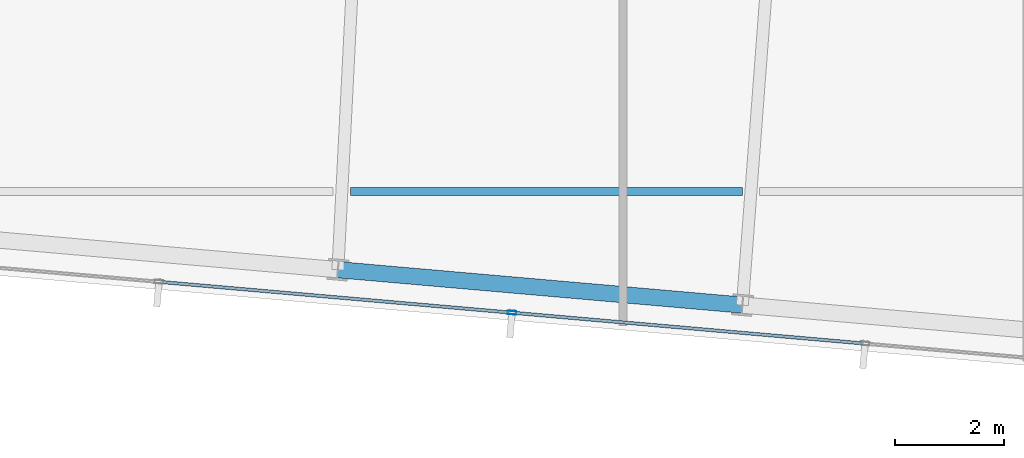
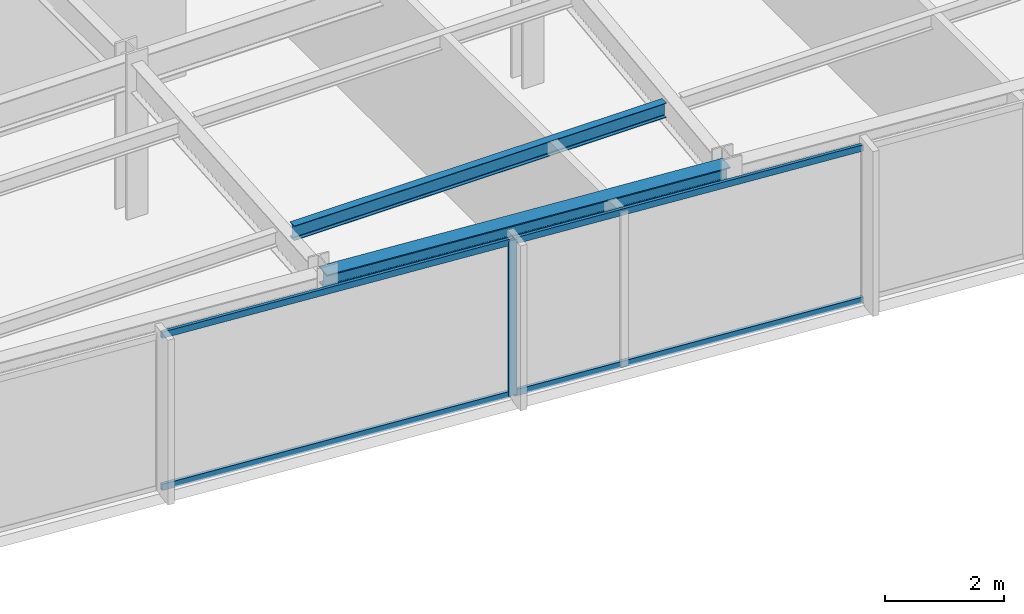
# One storey, part 7 of 32: 5 members, 2 beams, 1 element without a shape of its own.
"""IFC4 building model written with IfcOpenShell, lengths in metres."""

from ifc_helpers import new_model, si_unit, direction, frame, origin, origin_2d, place, context, subcontext, project, spatial, hollow_rectangle, i_section, extrude, material, material_profile, profile_set, type_object, element, aggregate, save


model = new_model("IFC4")

# Units and contexts
model_context = context("Model", 3, precision=1e-05, world=origin(), true_north=direction((0.0, 1.0)))
body_context = subcontext(model_context, "Body", "Model", "MODEL_VIEW")
ifc_project = project(units=[si_unit("LENGTHUNIT", "METRE"), si_unit("AREAUNIT", "SQUARE_METRE"), si_unit("VOLUMEUNIT", "CUBIC_METRE"), si_unit("PLANEANGLEUNIT", "RADIAN"), si_unit("MASSUNIT", "GRAM", prefix="KILO")], contexts=[model_context])

# Site, building, storey
site_placement = place(None, origin())
site = spatial("IfcSite", under=ifc_project, at=site_placement, CompositionType="ELEMENT")
building_placement = place(site_placement, origin())
building = spatial("IfcBuilding", under=site, at=building_placement, Name="Yelkora Congress Tower", CompositionType="ELEMENT")
storey_placement = place(building_placement, frame((0.0, 0.0, 272.699951171875)))
storey = spatial("IfcBuildingStorey", under=building, at=storey_placement, Name="L76", CompositionType="ELEMENT", Elevation=272.699951171875)

# Beams
ifc_material_1 = material(Name="Steel S355J2", Category="steel")
ifc_material_profile_1 = material_profile(ifc_material_1, i_section(OverallWidth=0.14990234375, OverallDepth=0.300048828125, WebThickness=0.007080078125, FlangeThickness=0.0107421875, FilletRadius=0.014892578125, at=origin_2d()), Name="IPE 300")
ifc_profile_set_1 = profile_set([ifc_material_profile_1], Name="Steel S355J2")
beam_type_1 = type_object("IfcBeamType", Name="BM-JOIST-IPE300", PredefinedType="JOIST", material=ifc_profile_set_1)
beam_1_placement = place(storey_placement, frame((30.595703125, 19.58447265625, 3.030029296875), z_axis=(1.0, 0.0, 0.0), x_axis=(0.0, 1.0, 0.0)))
element("IfcBeam", 1, at=beam_1_placement, inside=storey, type_object=beam_type_1, Name="L76 Composite Floor Joist 2", PredefinedType="JOIST", context=body_context, shape_type="SweptSolid", body=[
    extrude(i_section(OverallWidth=0.14990234375, OverallDepth=0.300048828125, WebThickness=0.007080078125, FlangeThickness=0.0107421875, FilletRadius=0.014892578125, at=origin_2d()), origin(), (0.0, 0.0, 1.0), 7.219970703125),
])
ifc_material_profile_2 = material_profile(ifc_material_1, i_section(OverallWidth=0.300048828125, OverallDepth=0.340087890625, WebThickness=0.011962890625, FlangeThickness=0.021484375, FilletRadius=0.027099609375, at=origin_2d()), Name="HEB 340")
ifc_profile_set_2 = profile_set([ifc_material_profile_2], Name="Steel S355J2")
beam_type_2 = type_object("IfcBeamType", Name="BM-SPAN-HEB340", PredefinedType="SPANDREL", material=ifc_profile_set_2)
beam_2_placement = place(storey_placement, frame((30.362548828125, 18.14111328125, 3.010009765625), z_axis=(0.99619601894, -0.087140644067, 0.0), x_axis=(0.087140644067, 0.99619601894, 0.0)))
element("IfcBeam", 2, at=beam_2_placement, inside=storey, type_object=beam_type_2, Name="L76 Perimeter Beam 4", PredefinedType="SPANDREL", context=body_context, shape_type="SweptSolid", body=[
    extrude(i_section(OverallWidth=0.300048828125, OverallDepth=0.340087890625, WebThickness=0.011962890625, FlangeThickness=0.021484375, FilletRadius=0.027099609375, at=origin_2d()), origin(), (0.0, 0.0, 1.0), 7.4833984375),
])

# Curtain wall, members
ifc_material_2 = material(Name="Anodised aluminium and insulated glass", Category="aluminium")
curtain_wall_type = type_object("IfcCurtainWallType", Name="CW-SYS-B5", PredefinedType="NOTDEFINED", material=ifc_material_2)
curtain_wall_placement = place(storey_placement, origin())
curtain_wall = element("IfcCurtainWall", 3, at=curtain_wall_placement, inside=storey, type_object=curtain_wall_type, Name="L76 Unitised Curtain Wall 20", PredefinedType="NOTDEFINED")
ifc_material_3 = material(Name="Anodised aluminium 6063-T6", Category="aluminium")
ifc_material_profile_3 = material_profile(ifc_material_3, hollow_rectangle(XDim=0.06494140625, YDim=0.159912109375, WallThickness=0.00390625, at=origin_2d()), Name="ALU 65x160x4")
ifc_profile_set_3 = profile_set([ifc_material_profile_3], Name="Anodised aluminium 6063-T6")
member_type_1 = type_object("IfcMemberType", Name="MEM-ML-B5", PredefinedType="MULLION", material=ifc_profile_set_3)
member_1_placement = place(storey_placement, frame((33.571533203125, 17.348388671875, 0.0), z_axis=(0.0, 0.0, 1.0), x_axis=(-0.087156829793, -0.996194602987, 0.0)))
member_1 = element("IfcMember", 4, at=member_1_placement, type_object=member_type_1, Name="CW-B5 mullion 4", PredefinedType="MULLION", context=body_context, shape_type="SweptSolid", body=[
    extrude(hollow_rectangle(XDim=0.06494140625, YDim=0.159912109375, WallThickness=0.00390625, at=origin_2d()), origin(), (0.0, 0.0, 1.0), 3.179931640625),
])
ifc_material_profile_4 = material_profile(ifc_material_3, hollow_rectangle(XDim=0.06005859375, YDim=0.1298828125, WallThickness=0.00390625, at=origin_2d()), Name="ALU 60x130x4")
ifc_profile_set_4 = profile_set([ifc_material_profile_4], Name="Anodised aluminium 6063-T6")
member_type_2 = type_object("IfcMemberType", Name="MEM-TR-B5", PredefinedType="USERDEFINED", material=ifc_profile_set_4)
member_2_placement = place(storey_placement, frame((40.045654296875, 16.781982421875, 0.030029296875), z_axis=(-0.996192979814, 0.08717538052, 0.0), x_axis=(-0.08717538052, -0.996192979814, 0.0)))
member_2 = element("IfcMember", 5, at=member_2_placement, type_object=member_type_2, Name="CW-B5 transom 3.1", ObjectType="TRANSOM", PredefinedType="USERDEFINED", context=body_context, shape_type="SweptSolid", body=[
    extrude(hollow_rectangle(XDim=0.06005859375, YDim=0.1298828125, WallThickness=0.00390625, at=origin_2d()), origin(), (0.0, 0.0, 1.0), 6.466552734375),
])
member_3_placement = place(storey_placement, frame((40.045654296875, 16.781982421875, 3.150146484375), z_axis=(-0.996192979814, 0.08717538052, 0.0), x_axis=(-0.08717538052, -0.996192979814, 0.0)))
member_3 = element("IfcMember", 6, at=member_3_placement, type_object=member_type_2, Name="CW-B5 transom 3.2", ObjectType="TRANSOM", PredefinedType="USERDEFINED", context=body_context, shape_type="SweptSolid", body=[
    extrude(hollow_rectangle(XDim=0.06005859375, YDim=0.1298828125, WallThickness=0.00390625, at=origin_2d()), origin(), (0.0, 0.0, 1.0), 6.466552734375),
])
member_4_placement = place(storey_placement, frame((33.5390625, 17.351318359375, 0.030029296875), z_axis=(-0.996196257862, 0.087137912649, 0.0), x_axis=(-0.087137912649, -0.996196257862, 0.0)))
member_4 = element("IfcMember", 7, at=member_4_placement, type_object=member_type_2, Name="CW-B5 transom 4.1", ObjectType="TRANSOM", PredefinedType="USERDEFINED", context=body_context, shape_type="SweptSolid", body=[
    extrude(hollow_rectangle(XDim=0.06005859375, YDim=0.1298828125, WallThickness=0.00390625, at=origin_2d()), origin(), (0.0, 0.0, 1.0), 6.466552734375),
])
member_5_placement = place(storey_placement, frame((33.5390625, 17.351318359375, 3.150146484375), z_axis=(-0.996196257862, 0.087137912649, 0.0), x_axis=(-0.087137912649, -0.996196257862, 0.0)))
member_5 = element("IfcMember", 8, at=member_5_placement, type_object=member_type_2, Name="CW-B5 transom 4.2", ObjectType="TRANSOM", PredefinedType="USERDEFINED", context=body_context, shape_type="SweptSolid", body=[
    extrude(hollow_rectangle(XDim=0.06005859375, YDim=0.1298828125, WallThickness=0.00390625, at=origin_2d()), origin(), (0.0, 0.0, 1.0), 6.466552734375),
])
aggregate(curtain_wall, [member_1, member_2, member_3, member_4, member_5])

save(model, "model.ifc")
